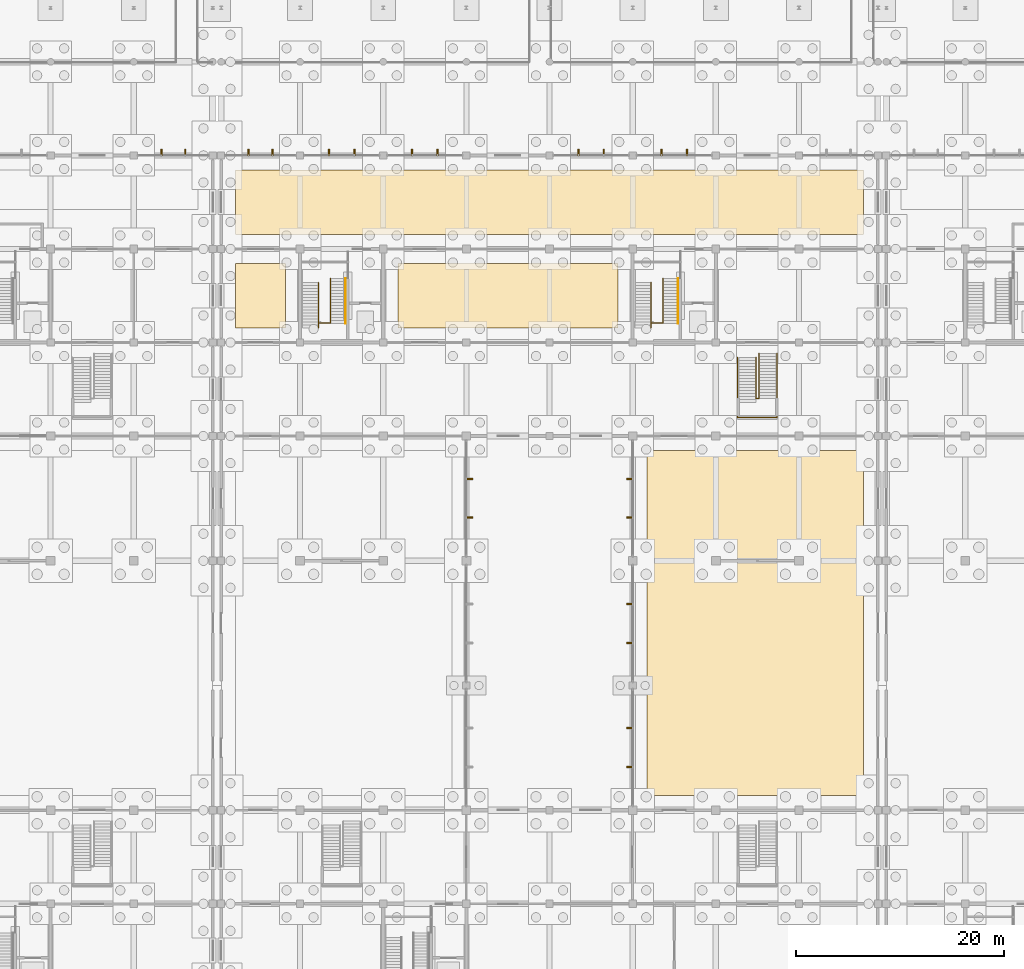
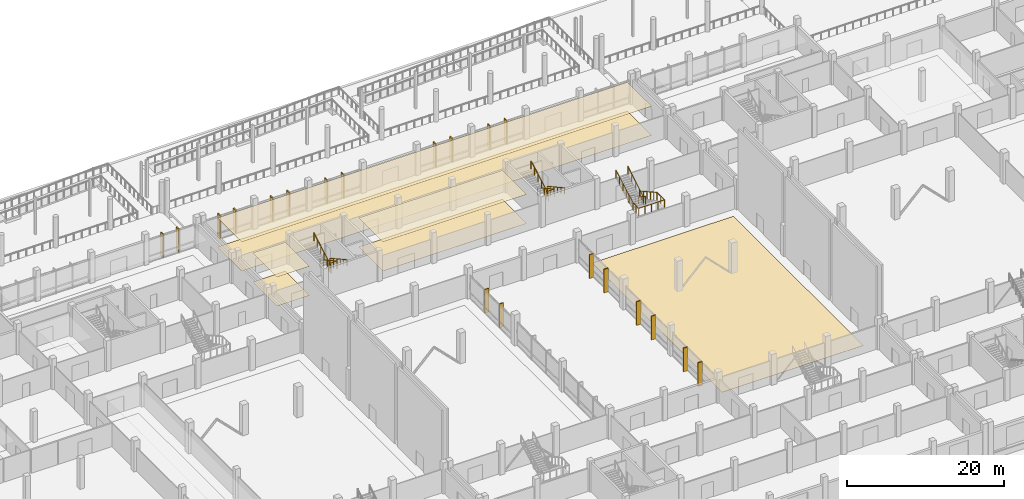
# One storey, part 66 of 72: 20 shading devices, 7 coverings, 6 railings.
"""IFC4 building model written with IfcOpenShell, lengths in metres."""

import ifcopenshell
import ifcopenshell.guid

model = None  # the IFC model being written
_history = None  # IfcOwnerHistory: only IFC2X3 demands one
_inside = {}  # id of a spatial element -> (the spatial element, [elements in it])
_under = {}  # id of a project, library or spatial element -> (it, [spatial elements below it])
_declared = {}  # id of a project -> (the project, [libraries it declares])
_typed = {}  # id of a type object -> (the type object, [elements of that type])
_made_of = {}  # id of a material, layer set ... -> (it, [elements and type objects made of it])


def new_model(schema):
    """Start an empty IFC model of exactly this schema.

    Asked for "IFC4X3", IfcOpenShell would pick the latest addendum, in which some entities
    have other attributes; the version numbers below select the first issue.
    IFC2X3 requires an IfcOwnerHistory on every rooted entity: one is made here for all.
    """
    global model, _history
    if schema == "IFC4X3":
        model = ifcopenshell.file(schema_version=(4, 3, 0, 0))
    else:
        model = ifcopenshell.file(schema=schema)
    _inside.clear()
    _under.clear()
    _declared.clear()
    _typed.clear()
    _made_of.clear()
    _history = None
    if model.schema == "IFC2X3":
        org = make("IfcOrganization", Name="unknown")
        user = make(
            "IfcPersonAndOrganization",
            ThePerson=make("IfcPerson", FamilyName="unknown"),
            TheOrganization=org,
        )
        app = make(
            "IfcApplication",
            ApplicationDeveloper=org,
            Version="unknown",
            ApplicationFullName="unknown",
            ApplicationIdentifier="unknown",
        )
        _history = make(
            "IfcOwnerHistory",
            OwningUser=user,
            OwningApplication=app,
            ChangeAction="ADDED",
            CreationDate=0,
        )
    return model


def make(cls, **values):
    """One entity of the class cls with the attributes given. An attribute that is None is left unset."""
    return model.create_entity(
        cls, **{name: value for name, value in values.items() if value is not None}
    )


def rooted(cls, **values):
    """An entity with a GlobalId (a new one), such as an element, a storey or a relation."""
    return make(cls, GlobalId=ifcopenshell.guid.new(), OwnerHistory=_history, **values)


def si_unit(unit_type, name, prefix=None):
    """IfcSIUnit, for example si_unit("LENGTHUNIT", "METRE", prefix="MILLI")."""
    return make("IfcSIUnit", UnitType=unit_type, Prefix=prefix, Name=name)


def assignment(units):
    """IfcUnitAssignment: the units of a project."""
    return None if units is None else make("IfcUnitAssignment", Units=units)


def point(xyz):
    """IfcCartesianPoint."""
    return None if xyz is None else make("IfcCartesianPoint", Coordinates=xyz)


def direction(xyz):
    """IfcDirection."""
    return None if xyz is None else make("IfcDirection", DirectionRatios=xyz)


def frame(location, z_axis=None, x_axis=None):
    """IfcAxis2Placement3D, a coordinate frame: its origin and axes. An axis left out is left unset."""
    return make(
        "IfcAxis2Placement3D",
        Location=point(location),
        Axis=direction(z_axis),
        RefDirection=direction(x_axis),
    )


def frame_2d(location, x_axis=None):
    """IfcAxis2Placement2D, a coordinate frame in the plane: its origin and x axis."""
    return make(
        "IfcAxis2Placement2D", Location=point(location), RefDirection=direction(x_axis)
    )


def origin():
    """The frame at (0, 0, 0) with its axes left unset."""
    return frame((0.0, 0.0, 0.0))


def origin_2d():
    """The frame at (0, 0) in the plane with its x axis left unset."""
    return frame_2d((0.0, 0.0))


def place(relative_to, where):
    """IfcLocalPlacement: puts the frame where relative to a parent placement (None: the world)."""
    return make(
        "IfcLocalPlacement", PlacementRelTo=relative_to, RelativePlacement=where
    )


def context(
    kind, dimensions, precision=None, world=None, true_north=None, identifier=None
):
    """IfcGeometricRepresentationContext, for example the 3D "Model" context."""
    return make(
        "IfcGeometricRepresentationContext",
        ContextIdentifier=identifier,
        ContextType=kind,
        CoordinateSpaceDimension=dimensions,
        Precision=precision,
        WorldCoordinateSystem=world,
        TrueNorth=true_north,
    )


def subcontext(parent, identifier, kind, view, scale=None):
    """IfcGeometricRepresentationSubContext, for example "Body" below "Model"."""
    return make(
        "IfcGeometricRepresentationSubContext",
        ContextIdentifier=identifier,
        ContextType=kind,
        ParentContext=parent,
        TargetScale=scale,
        TargetView=view,
    )


def project(units=None, contexts=None):
    """IfcProject with its units and contexts."""
    return rooted(
        "IfcProject",
        Name="project",
        RepresentationContexts=contexts,
        UnitsInContext=assignment(units),
    )


def spatial(cls, under=None, at=None, **own):
    """A site, building, storey or space (cls), placed at a placement, below another one or the project."""
    s = rooted(cls, ObjectPlacement=at, **own)
    if under is not None:
        _under.setdefault(under.id(), (under, []))[1].append(s)
    return s


def polyline(points):
    """IfcPolyline through the points."""
    return make("IfcPolyline", Points=[point(p) for p in points])


def profile(cls, at=None, kind="AREA", **sizes):
    """A parametric profile (cls). Its sizes go by their IFC names, for example OverallWidth=200.0."""
    return make(cls, ProfileType=kind, Position=at, **sizes)


def rectangle(**sizes):
    """IfcRectangleProfileDef."""
    return profile("IfcRectangleProfileDef", **sizes)


def circle(**sizes):
    """IfcCircleProfileDef."""
    return profile("IfcCircleProfileDef", **sizes)


def outline(outer, holes=None, kind="AREA"):
    """IfcArbitraryClosedProfileDef: a profile drawn as a closed curve; with holes, ...WithVoids."""
    if holes is None:
        return make("IfcArbitraryClosedProfileDef", ProfileType=kind, OuterCurve=outer)
    return make(
        "IfcArbitraryProfileDefWithVoids",
        ProfileType=kind,
        OuterCurve=outer,
        InnerCurves=holes,
    )


def extrude(swept, where, along, depth):
    """IfcExtrudedAreaSolid: the profile swept, set in the frame where, extruded along a direction by depth."""
    return make(
        "IfcExtrudedAreaSolid",
        SweptArea=swept,
        Position=where,
        ExtrudedDirection=direction(along),
        Depth=depth,
    )


def shape(context_of_items, identifier, shape_type, items):
    """IfcShapeRepresentation: the items that make up one representation, for example the "Body"."""
    return make(
        "IfcShapeRepresentation",
        ContextOfItems=context_of_items,
        RepresentationIdentifier=identifier,
        RepresentationType=shape_type,
        Items=items,
    )


def material(Name=None, Category=None):
    """IfcMaterial."""
    return make("IfcMaterial", Name=Name, Category=Category)


def layer(
    of_material, thickness, ventilated=None, Name=None, Category=None, Priority=None
):
    """IfcMaterialLayer: one layer of a wall or slab, of a material (None: an air gap)."""
    return make(
        "IfcMaterialLayer",
        Material=of_material,
        LayerThickness=thickness,
        IsVentilated=ventilated,
        Name=Name,
        Category=Category,
        Priority=Priority,
    )


def layer_set(layers, Name=None):
    """IfcMaterialLayerSet."""
    return make("IfcMaterialLayerSet", MaterialLayers=layers, LayerSetName=Name)


def made_of(thing, what):
    """Note that an element or type object is made of a material, layer set ...; save() writes the relation."""
    if what is not None:
        _made_of.setdefault(what.id(), (what, []))[1].append(thing)
    return thing


def type_object(cls, material=None, **own):
    """A type object (cls), such as IfcWallType, which elements share."""
    return made_of(rooted(cls, **own), material)


def element(
    cls,
    number,
    at=None,
    inside=None,
    cuts=None,
    type_object=None,
    material=None,
    context=None,
    identifier="Body",
    shape_type=None,
    held_by="IfcProductDefinitionShape",
    body=None,
    shapes=None,
    **own,
):
    """One element of the class cls, such as IfcWall. Its Tag is "e" and its number.

    at: its placement. inside: the storey or other place that contains it. cuts: it is an
    opening in that element (IfcRelVoidsElement). A single representation is given by context,
    identifier, shape_type and body (its items); several are given by shapes. held_by: the class
    of the entity that holds the representations. save() writes the other relations.
    """
    e = rooted(cls, Tag="e%d" % number, ObjectPlacement=at, **own)
    if body is not None:
        shapes = [shape(context, identifier, shape_type, body)]
    if shapes is not None:
        e.Representation = make(held_by, Representations=shapes)
    if inside is not None:
        _inside.setdefault(inside.id(), (inside, []))[1].append(e)
    if cuts is not None:
        rooted(
            "IfcRelVoidsElement", RelatingBuildingElement=cuts, RelatedOpeningElement=e
        )
    if type_object is not None:
        _typed.setdefault(type_object.id(), (type_object, []))[1].append(e)
    return made_of(e, material)


def aggregate(whole, parts):
    """IfcRelAggregates: a whole, such as a stair, and the parts it consists of."""
    return rooted("IfcRelAggregates", RelatingObject=whole, RelatedObjects=parts)


def save(model, path):
    """Write the relations noted so far, then the file.

    IfcRelAggregates (storeys below a building ...), IfcRelContainedInSpatialStructure (elements
    in a storey), IfcRelDefinesByType, IfcRelAssociatesMaterial and IfcRelDeclares: one each for
    every whole, place, type object, material and project.
    """
    for whole, parts in _under.values():
        aggregate(whole, parts)
    for where, things in _inside.values():
        rooted(
            "IfcRelContainedInSpatialStructure",
            RelatedElements=things,
            RelatingStructure=where,
        )
    for kind, things in _typed.values():
        rooted("IfcRelDefinesByType", RelatedObjects=things, RelatingType=kind)
    for what, things in _made_of.values():
        rooted("IfcRelAssociatesMaterial", RelatedObjects=things, RelatingMaterial=what)
    for by, libraries in _declared.values():
        rooted("IfcRelDeclares", RelatingContext=by, RelatedDefinitions=libraries)
    model.write(path)


model = new_model("IFC4")

# Units and contexts
model_context = context("Model", 3, precision=1e-05, world=origin(), true_north=direction((0.0, 1.0)))
body_context = subcontext(model_context, "Body", "Model", "MODEL_VIEW")
ifc_project = project(units=[si_unit("LENGTHUNIT", "METRE"), si_unit("AREAUNIT", "SQUARE_METRE"), si_unit("VOLUMEUNIT", "CUBIC_METRE"), si_unit("PLANEANGLEUNIT", "RADIAN"), si_unit("MASSUNIT", "GRAM", prefix="KILO"), si_unit("THERMODYNAMICTEMPERATUREUNIT", "KELVIN"), si_unit("POWERUNIT", "WATT")], contexts=[model_context])

# Site, building, storey
site_placement = place(None, origin())
site = spatial("IfcSite", under=ifc_project, at=site_placement, CompositionType="ELEMENT")
building_placement = place(site_placement, origin())
building = spatial("IfcBuilding", under=site, at=building_placement, Name="Kronsvod Quay Wholesale Market", CompositionType="ELEMENT")
storey_placement = place(building_placement, origin())
storey = spatial("IfcBuildingStorey", under=building, at=storey_placement, Name="L00", CompositionType="ELEMENT", Elevation=0.0)

# Coverings
ifc_material_1 = material(Name="Moisture-resistant gypsum board ceiling")
ifc_layer_1 = layer(ifc_material_1, 0.02490234375)
ifc_layer_set_1 = layer_set([ifc_layer_1], Name="Moisture-resistant gypsum board ceiling")
covering_type_1 = type_object("IfcCoveringType", Name="Cov_Ceil03", PredefinedType="CEILING", material=ifc_layer_set_1)
covering_1_placement = place(storey_placement, frame((0.0, 0.0, 4.52490234375)))
element("IfcCovering", 1, at=covering_1_placement, inside=storey, type_object=covering_type_1, Name="CLG-SP-L00-V5-07", PredefinedType="CEILING", context=body_context, shape_type="SweptSolid", body=[
    extrude(outline(polyline([(65.800048828125, 100.39990234375), (70.60009765625, 100.39990234375), (70.60009765625, 106.60009765625), (65.800048828125, 106.60009765625), (65.800048828125, 100.39990234375)])), origin(), (0.0, 0.0, 1.0), 0.025146484375),
])
covering_2_placement = place(storey_placement, frame((0.0, 0.0, 4.52490234375)))
element("IfcCovering", 2, at=covering_2_placement, inside=storey, type_object=covering_type_1, Name="CLG-SP-L00-V5-08", PredefinedType="CEILING", context=body_context, shape_type="SweptSolid", body=[
    extrude(outline(polyline([(81.39990234375, 100.39990234375), (102.60009765625, 100.39990234375), (102.60009765625, 106.60009765625), (81.39990234375, 106.60009765625), (81.39990234375, 100.39990234375)])), origin(), (0.0, 0.0, 1.0), 0.025146484375),
])
covering_3_placement = place(storey_placement, frame((0.0, 0.0, 4.52490234375)))
element("IfcCovering", 3, at=covering_3_placement, inside=storey, type_object=covering_type_1, Name="CLG-SP-L00-V5-13", PredefinedType="CEILING", context=body_context, shape_type="SweptSolid", body=[
    extrude(outline(polyline([(65.800048828125, 109.39990234375), (126.199951171875, 109.39990234375), (126.199951171875, 115.60009765625), (65.800048828125, 115.60009765625), (65.800048828125, 109.39990234375)])), origin(), (0.0, 0.0, 1.0), 0.025146484375),
])
ifc_material_2 = material(Name="Heavy-duty polyurethane resin market screed")
ifc_layer_2 = layer(ifc_material_2, 0.02001953125)
ifc_layer_set_2 = layer_set([ifc_layer_2], Name="Heavy-duty polyurethane resin market screed")
covering_type_2 = type_object("IfcCoveringType", Name="Cov_Floor01", PredefinedType="FLOORING", material=ifc_layer_set_2)
covering_4_placement = place(storey_placement, origin())
element("IfcCovering", 4, at=covering_4_placement, inside=storey, type_object=covering_type_2, Name="FLR-SP-L00-V5-07", PredefinedType="FLOORING", context=body_context, shape_type="SweptSolid", body=[
    extrude(outline(polyline([(65.800048828125, 100.39990234375), (70.60009765625, 100.39990234375), (70.60009765625, 106.60009765625), (65.800048828125, 106.60009765625), (65.800048828125, 100.39990234375)])), origin(), (0.0, 0.0, 1.0), 0.02001953125),
])
covering_5_placement = place(storey_placement, origin())
element("IfcCovering", 5, at=covering_5_placement, inside=storey, type_object=covering_type_2, Name="FLR-SP-L00-V5-08", PredefinedType="FLOORING", context=body_context, shape_type="SweptSolid", body=[
    extrude(outline(polyline([(81.39990234375, 100.39990234375), (102.60009765625, 100.39990234375), (102.60009765625, 106.60009765625), (81.39990234375, 106.60009765625), (81.39990234375, 100.39990234375)])), origin(), (0.0, 0.0, 1.0), 0.02001953125),
])
ifc_material_3 = material(Name="Non-slip vitrified seafood hall tile")
ifc_layer_3 = layer(ifc_material_3, 0.02490234375)
ifc_layer_set_3 = layer_set([ifc_layer_3], Name="Non-slip vitrified seafood hall tile")
covering_type_3 = type_object("IfcCoveringType", Name="Cov_Floor02", PredefinedType="FLOORING", material=ifc_layer_set_3)
covering_6_placement = place(storey_placement, origin())
element("IfcCovering", 6, at=covering_6_placement, inside=storey, type_object=covering_type_3, Name="FLR-SP-L00-V2-03", PredefinedType="FLOORING", context=body_context, shape_type="SweptSolid", body=[
    extrude(outline(polyline([(105.39990234375, 55.39990234375), (126.199951171875, 55.39990234375), (126.199951171875, 88.60009765625), (105.39990234375, 88.60009765625), (105.39990234375, 55.39990234375)])), origin(), (0.0, 0.0, 1.0), 0.02490234375),
])
ifc_material_4 = material(Name="Polished terrazzo concourse flooring")
ifc_layer_4 = layer(ifc_material_4, 0.01806640625)
ifc_layer_set_4 = layer_set([ifc_layer_4], Name="Polished terrazzo concourse flooring")
covering_type_4 = type_object("IfcCoveringType", Name="Cov_Floor03", PredefinedType="FLOORING", material=ifc_layer_set_4)
covering_7_placement = place(storey_placement, origin())
element("IfcCovering", 7, at=covering_7_placement, inside=storey, type_object=covering_type_4, Name="FLR-SP-L00-V5-13", PredefinedType="FLOORING", context=body_context, shape_type="SweptSolid", body=[
    extrude(outline(polyline([(65.800048828125, 109.39990234375), (126.199951171875, 109.39990234375), (126.199951171875, 115.60009765625), (65.800048828125, 115.60009765625), (65.800048828125, 109.39990234375)])), origin(), (0.0, 0.0, 1.0), 0.01806640625),
])

# Railings
ifc_material_5 = material(Name="Stainless steel", Category="steel")
railing_type_1 = type_object("IfcRailingType", Name="Railing_Guard1200", PredefinedType="GUARDRAIL", material=ifc_material_5)
railing_1_placement = place(storey_placement, frame((74.909912109375, 105.179931640625, 0.0)))
element("IfcRailing", 8, at=railing_1_placement, inside=storey, type_object=railing_type_1, Name="ST08-L00-SLOT-GRD", PredefinedType="GUARDRAIL", context=body_context, shape_type="SweptSolid", body=[
    extrude(circle(Radius=0.02392578125, at=origin_2d()), frame((0.0, 0.0, 1.17578125), z_axis=(0.0, -0.873208496407, 0.487346818809), x_axis=(1.0, 0.0, 0.0)), (0.0, 0.0, 1.0), 4.92431640625),
    extrude(circle(Radius=0.02392578125, at=origin_2d()), frame((0.0, -4.300048828125, 3.57568359375), z_axis=(-1.0, 0.0, 0.0), x_axis=(0.0, -1.0, 0.0)), (0.0, 0.0, 1.0), 1.159912109375),
    extrude(circle(Radius=0.02392578125, at=origin_2d()), frame((-1.159912109375, -4.300048828125, 3.57568359375), z_axis=(0.0, -1.0, 0.0), x_axis=(1.0, 0.0, 0.0)), (0.0, 0.0, 1.0), 0.469970703125),
    extrude(circle(Radius=0.02392578125, at=origin_2d()), frame((-1.159912109375, -4.77001953125, 3.57568359375), z_axis=(0.0, 0.875569800069, 0.483091632309), x_axis=(-1.0, 0.0, 0.0)), (0.0, 0.0, 1.0), 4.96826171875),
    extrude(circle(Radius=0.02099609375, at=origin_2d()), origin(), (0.0, 0.0, 1.0), 1.15185546875),
    extrude(circle(Radius=0.02099609375, at=origin_2d()), frame((0.0, -0.860107421875, 0.47998046875)), (0.0, 0.0, 1.0), 1.15185546875),
    extrude(circle(Radius=0.02099609375, at=origin_2d()), frame((0.0, -1.719970703125, 0.9599609375)), (0.0, 0.0, 1.0), 1.15185546875),
    extrude(circle(Radius=0.02099609375, at=origin_2d()), frame((0.0, -2.580078125, 1.43994140625)), (0.0, 0.0, 1.0), 1.15185546875),
    extrude(circle(Radius=0.02099609375, at=origin_2d()), frame((0.0, -3.43994140625, 1.919921875)), (0.0, 0.0, 1.0), 1.15185546875),
    extrude(circle(Radius=0.02099609375, at=origin_2d()), frame((0.0, -4.300048828125, 2.39990234375)), (0.0, 0.0, 1.0), 1.15185546875),
    extrude(circle(Radius=0.02099609375, at=origin_2d()), frame((-1.159912109375, -4.300048828125, 2.39990234375)), (0.0, 0.0, 1.0), 1.15185546875),
    extrude(circle(Radius=0.02099609375, at=origin_2d()), frame((-1.159912109375, -4.77001953125, 2.39990234375)), (0.0, 0.0, 1.0), 1.15185546875),
    extrude(circle(Radius=0.02099609375, at=origin_2d()), frame((-1.159912109375, -3.89990234375, 2.8798828125)), (0.0, 0.0, 1.0), 1.15185546875),
    extrude(circle(Radius=0.02099609375, at=origin_2d()), frame((-1.159912109375, -3.030029296875, 3.35986328125)), (0.0, 0.0, 1.0), 1.15185546875),
    extrude(circle(Radius=0.02099609375, at=origin_2d()), frame((-1.159912109375, -2.159912109375, 3.840087890625)), (0.0, 0.0, 1.0), 1.15185546875),
    extrude(circle(Radius=0.02099609375, at=origin_2d()), frame((-1.159912109375, -1.2900390625, 4.320068359375)), (0.0, 0.0, 1.0), 1.15185546875),
    extrude(circle(Radius=0.02099609375, at=origin_2d()), frame((-1.159912109375, -0.419921875, 4.800048828125)), (0.0, 0.0, 1.0), 1.15185546875),
])
railing_2_placement = place(storey_placement, frame((106.909912109375, 105.179931640625, 0.0)))
element("IfcRailing", 9, at=railing_2_placement, inside=storey, type_object=railing_type_1, Name="ST09-L00-SLOT-GRD", PredefinedType="GUARDRAIL", context=body_context, shape_type="SweptSolid", body=[
    extrude(circle(Radius=0.02392578125, at=origin_2d()), frame((0.0, 0.0, 1.17578125), z_axis=(0.0, -0.873208496407, 0.487346818809), x_axis=(1.0, 0.0, 0.0)), (0.0, 0.0, 1.0), 4.92431640625),
    extrude(circle(Radius=0.02392578125, at=origin_2d()), frame((0.0, -4.300048828125, 3.57568359375), z_axis=(-1.0, 0.0, 0.0), x_axis=(0.0, -1.0, 0.0)), (0.0, 0.0, 1.0), 1.159912109375),
    extrude(circle(Radius=0.02392578125, at=origin_2d()), frame((-1.159912109375, -4.300048828125, 3.57568359375), z_axis=(0.0, -1.0, 0.0), x_axis=(1.0, 0.0, 0.0)), (0.0, 0.0, 1.0), 0.469970703125),
    extrude(circle(Radius=0.02392578125, at=origin_2d()), frame((-1.159912109375, -4.77001953125, 3.57568359375), z_axis=(0.0, 0.875569800069, 0.483091632309), x_axis=(-1.0, 0.0, 0.0)), (0.0, 0.0, 1.0), 4.96826171875),
    extrude(circle(Radius=0.02099609375, at=origin_2d()), origin(), (0.0, 0.0, 1.0), 1.15185546875),
    extrude(circle(Radius=0.02099609375, at=origin_2d()), frame((0.0, -0.860107421875, 0.47998046875)), (0.0, 0.0, 1.0), 1.15185546875),
    extrude(circle(Radius=0.02099609375, at=origin_2d()), frame((0.0, -1.719970703125, 0.9599609375)), (0.0, 0.0, 1.0), 1.15185546875),
    extrude(circle(Radius=0.02099609375, at=origin_2d()), frame((0.0, -2.580078125, 1.43994140625)), (0.0, 0.0, 1.0), 1.15185546875),
    extrude(circle(Radius=0.02099609375, at=origin_2d()), frame((0.0, -3.43994140625, 1.919921875)), (0.0, 0.0, 1.0), 1.15185546875),
    extrude(circle(Radius=0.02099609375, at=origin_2d()), frame((0.0, -4.300048828125, 2.39990234375)), (0.0, 0.0, 1.0), 1.15185546875),
    extrude(circle(Radius=0.02099609375, at=origin_2d()), frame((-1.159912109375, -4.300048828125, 2.39990234375)), (0.0, 0.0, 1.0), 1.15185546875),
    extrude(circle(Radius=0.02099609375, at=origin_2d()), frame((-1.159912109375, -4.77001953125, 2.39990234375)), (0.0, 0.0, 1.0), 1.15185546875),
    extrude(circle(Radius=0.02099609375, at=origin_2d()), frame((-1.159912109375, -3.89990234375, 2.8798828125)), (0.0, 0.0, 1.0), 1.15185546875),
    extrude(circle(Radius=0.02099609375, at=origin_2d()), frame((-1.159912109375, -3.030029296875, 3.35986328125)), (0.0, 0.0, 1.0), 1.15185546875),
    extrude(circle(Radius=0.02099609375, at=origin_2d()), frame((-1.159912109375, -2.159912109375, 3.840087890625)), (0.0, 0.0, 1.0), 1.15185546875),
    extrude(circle(Radius=0.02099609375, at=origin_2d()), frame((-1.159912109375, -1.2900390625, 4.320068359375)), (0.0, 0.0, 1.0), 1.15185546875),
    extrude(circle(Radius=0.02099609375, at=origin_2d()), frame((-1.159912109375, -0.419921875, 4.800048828125)), (0.0, 0.0, 1.0), 1.15185546875),
])
railing_3_placement = place(storey_placement, frame((116.14990234375, 97.949951171875, 0.0)))
element("IfcRailing", 10, at=railing_3_placement, inside=storey, type_object=railing_type_1, Name="ST-CON-E-SLOT-GRD", PredefinedType="GUARDRAIL", context=body_context, shape_type="SweptSolid", body=[
    extrude(circle(Radius=0.02392578125, at=origin_2d()), frame((0.0, 0.0, 1.17578125), z_axis=(0.0, -0.875579117544, 0.483074744652), x_axis=(1.0, 0.0, 0.0)), (0.0, 0.0, 1.0), 4.968017578125),
    extrude(circle(Radius=0.02392578125, at=origin_2d()), frame((0.0, -4.349853515625, 3.57568359375), z_axis=(-1.0, 0.0, 0.0), x_axis=(0.0, -1.0, 0.0)), (0.0, 0.0, 1.0), 0.2998046875),
    extrude(circle(Radius=0.02392578125, at=origin_2d()), frame((-0.2998046875, -4.349853515625, 3.57568359375), z_axis=(0.0, 0.855181543025, 0.518328591213), x_axis=(-1.0, 0.0, 0.0)), (0.0, 0.0, 1.0), 4.630615234375),
    extrude(circle(Radius=0.02099609375, at=origin_2d()), origin(), (0.0, 0.0, 1.0), 1.15185546875),
    extrude(circle(Radius=0.02099609375, at=origin_2d()), frame((0.0, -0.869873046875, 0.47998046875)), (0.0, 0.0, 1.0), 1.15185546875),
    extrude(circle(Radius=0.02099609375, at=origin_2d()), frame((0.0, -1.739990234375, 0.9599609375)), (0.0, 0.0, 1.0), 1.15185546875),
    extrude(circle(Radius=0.02099609375, at=origin_2d()), frame((0.0, -2.60986328125, 1.43994140625)), (0.0, 0.0, 1.0), 1.15185546875),
    extrude(circle(Radius=0.02099609375, at=origin_2d()), frame((0.0, -3.47998046875, 1.919921875)), (0.0, 0.0, 1.0), 1.15185546875),
    extrude(circle(Radius=0.02099609375, at=origin_2d()), frame((0.0, -4.349853515625, 2.39990234375)), (0.0, 0.0, 1.0), 1.15185546875),
    extrude(circle(Radius=0.02099609375, at=origin_2d()), frame((-0.2998046875, -4.349853515625, 2.39990234375)), (0.0, 0.0, 1.0), 1.15185546875),
    extrude(circle(Radius=0.02099609375, at=origin_2d()), frame((-0.2998046875, -3.35986328125, 3.0)), (0.0, 0.0, 1.0), 1.15185546875),
    extrude(circle(Radius=0.02099609375, at=origin_2d()), frame((-0.2998046875, -2.369873046875, 3.60009765625)), (0.0, 0.0, 1.0), 1.15185546875),
    extrude(circle(Radius=0.02099609375, at=origin_2d()), frame((-0.2998046875, -1.3798828125, 4.199951171875)), (0.0, 0.0, 1.0), 1.15185546875),
    extrude(circle(Radius=0.02099609375, at=origin_2d()), frame((-0.2998046875, -0.389892578125, 4.800048828125)), (0.0, 0.0, 1.0), 1.15185546875),
])
railing_4_placement = place(storey_placement, frame((117.89990234375, 97.949951171875, 0.0)))
element("IfcRailing", 11, at=railing_4_placement, inside=storey, type_object=railing_type_1, Name="ST-CON-E-OUT-GRD", PredefinedType="GUARDRAIL", context=body_context, shape_type="SweptSolid", body=[
    extrude(circle(Radius=0.02392578125, at=origin_2d()), frame((0.0, 0.0, 1.17578125), z_axis=(0.0, -0.872724433274, 0.488213133342), x_axis=(1.0, 0.0, 0.0)), (0.0, 0.0, 1.0), 4.915771484375),
    extrude(circle(Radius=0.02392578125, at=origin_2d()), frame((0.0, -4.2900390625, 3.57568359375), z_axis=(0.0, -1.0, 0.0), x_axis=(1.0, 0.0, 0.0)), (0.0, 0.0, 1.0), 1.8798828125),
    extrude(circle(Radius=0.02392578125, at=origin_2d()), frame((0.0, -6.169921875, 3.57568359375), z_axis=(-1.0, 0.0, 0.0), x_axis=(0.0, -1.0, 0.0)), (0.0, 0.0, 1.0), 3.7998046875),
    extrude(circle(Radius=0.02392578125, at=origin_2d()), frame((-3.7998046875, -6.169921875, 3.57568359375), z_axis=(0.0, 1.0, 0.0), x_axis=(-1.0, 0.0, 0.0)), (0.0, 0.0, 1.0), 1.429931640625),
    extrude(circle(Radius=0.02392578125, at=origin_2d()), frame((-3.7998046875, -4.739990234375, 3.57568359375), z_axis=(0.0, 0.875569800069, 0.483091632309), x_axis=(-1.0, 0.0, 0.0)), (0.0, 0.0, 1.0), 4.96826171875),
    extrude(circle(Radius=0.02099609375, at=origin_2d()), origin(), (0.0, 0.0, 1.0), 1.15185546875),
    extrude(circle(Radius=0.02099609375, at=origin_2d()), frame((0.0, -0.85791015625, 0.47998046875)), (0.0, 0.0, 1.0), 1.15185546875),
    extrude(circle(Radius=0.02099609375, at=origin_2d()), frame((0.0, -1.716064453125, 0.9599609375)), (0.0, 0.0, 1.0), 1.15185546875),
    extrude(circle(Radius=0.02099609375, at=origin_2d()), frame((0.0, -2.573974609375, 1.43994140625)), (0.0, 0.0, 1.0), 1.15185546875),
    extrude(circle(Radius=0.02099609375, at=origin_2d()), frame((0.0, -3.43212890625, 1.919921875)), (0.0, 0.0, 1.0), 1.15185546875),
    extrude(circle(Radius=0.02099609375, at=origin_2d()), frame((0.0, -4.2900390625, 2.39990234375)), (0.0, 0.0, 1.0), 1.15185546875),
    extrude(circle(Radius=0.02099609375, at=origin_2d()), frame((0.0, -5.22998046875, 2.39990234375)), (0.0, 0.0, 1.0), 1.15185546875),
    extrude(circle(Radius=0.02099609375, at=origin_2d()), frame((0.0, -6.169921875, 2.39990234375)), (0.0, 0.0, 1.0), 1.15185546875),
    extrude(circle(Radius=0.02099609375, at=origin_2d()), frame((-0.949951171875, -6.169921875, 2.39990234375)), (0.0, 0.0, 1.0), 1.15185546875),
    extrude(circle(Radius=0.02099609375, at=origin_2d()), frame((-1.89990234375, -6.169921875, 2.39990234375)), (0.0, 0.0, 1.0), 1.15185546875),
    extrude(circle(Radius=0.02099609375, at=origin_2d()), frame((-2.849853515625, -6.169921875, 2.39990234375)), (0.0, 0.0, 1.0), 1.15185546875),
    extrude(circle(Radius=0.02099609375, at=origin_2d()), frame((-3.7998046875, -6.169921875, 2.39990234375)), (0.0, 0.0, 1.0), 1.15185546875),
    extrude(circle(Radius=0.02099609375, at=origin_2d()), frame((-3.7998046875, -5.455078125, 2.39990234375)), (0.0, 0.0, 1.0), 1.15185546875),
    extrude(circle(Radius=0.02099609375, at=origin_2d()), frame((-3.7998046875, -4.739990234375, 2.39990234375)), (0.0, 0.0, 1.0), 1.15185546875),
    extrude(circle(Radius=0.02099609375, at=origin_2d()), frame((-3.7998046875, -3.869873046875, 2.8798828125)), (0.0, 0.0, 1.0), 1.15185546875),
    extrude(circle(Radius=0.02099609375, at=origin_2d()), frame((-3.7998046875, -3.0, 3.35986328125)), (0.0, 0.0, 1.0), 1.15185546875),
    extrude(circle(Radius=0.02099609375, at=origin_2d()), frame((-3.7998046875, -2.1298828125, 3.840087890625)), (0.0, 0.0, 1.0), 1.15185546875),
    extrude(circle(Radius=0.02099609375, at=origin_2d()), frame((-3.7998046875, -1.260009765625, 4.320068359375)), (0.0, 0.0, 1.0), 1.15185546875),
    extrude(circle(Radius=0.02099609375, at=origin_2d()), frame((-3.7998046875, -0.389892578125, 4.800048828125)), (0.0, 0.0, 1.0), 1.15185546875),
])
ifc_material_6 = material(Name="Stainless steel", Category="steel")
railing_type_2 = type_object("IfcRailingType", Name="Railing_Handrail900", PredefinedType="HANDRAIL", material=ifc_material_6)
for number, where, name in (
    (12, (76.3798828125, 105.179931640625, 0.0), "ST08-L00-HDR"),
    (13, (108.3798828125, 105.179931640625, 0.0), "ST09-L00-HDR"),
):
    element("IfcRailing", number, at=place(storey_placement, frame(where)), inside=storey, type_object=railing_type_2, Name=name, PredefinedType="HANDRAIL", context=body_context, shape_type="SweptSolid", body=[
        extrude(circle(Radius=0.02392578125, at=origin_2d()), frame((0.0, 0.0, 0.8759765625), z_axis=(0.0, -0.875579117544, 0.483074744652), x_axis=(1.0, 0.0, 0.0)), (0.0, 0.0, 1.0), 4.968017578125),
        extrude(circle(Radius=0.02099609375, at=origin_2d()), origin(), (0.0, 0.0, 1.0), 0.851806640625),
        extrude(circle(Radius=0.02099609375, at=origin_2d()), frame((0.0, -0.869873046875, 0.47998046875)), (0.0, 0.0, 1.0), 0.851806640625),
        extrude(circle(Radius=0.02099609375, at=origin_2d()), frame((0.0, -1.739990234375, 0.9599609375)), (0.0, 0.0, 1.0), 0.851806640625),
        extrude(circle(Radius=0.02099609375, at=origin_2d()), frame((0.0, -2.60986328125, 1.43994140625)), (0.0, 0.0, 1.0), 0.851806640625),
        extrude(circle(Radius=0.02099609375, at=origin_2d()), frame((0.0, -3.47998046875, 1.919921875)), (0.0, 0.0, 1.0), 0.851806640625),
        extrude(circle(Radius=0.02099609375, at=origin_2d()), frame((0.0, -4.349853515625, 2.39990234375)), (0.0, 0.0, 1.0), 0.851806640625),
    ])

# Shading devices
ifc_material_7 = material(Name="Anodised aluminium", Category="aluminium")
shading_device_type = type_object("IfcShadingDeviceType", Name="Shade_SolarFin", PredefinedType="AWNING", material=ifc_material_7)
for number, where, z_axis, x_axis, name in (
    (14, (58.648193359375, 117.280029296875, -0.02001953125), (0.0, 0.0, 1.0), (1.0, 0.0, 0.0), "SHDF-CWGX-L00-560-1170-586"),
    (15, (60.95166015625, 117.280029296875, -0.02001953125), (0.0, 0.0, 1.0), (1.0, 0.0, 0.0), "SHDF-CWGX-L00-560-1170-610"),
    (16, (67.04833984375, 117.280029296875, -0.02001953125), (0.0, 0.0, 1.0), (1.0, 0.0, 0.0), "SHDF-CWGX-L00-644-1170-670"),
    (17, (69.351806640625, 117.280029296875, -0.02001953125), (0.0, 0.0, 1.0), (1.0, 0.0, 0.0), "SHDF-CWGX-L00-644-1170-694"),
    (18, (74.78173828125, 117.280029296875, -0.02001953125), (0.0, 0.0, 1.0), (1.0, 0.0, 0.0), "SHDF-CWGX-L00-720-1170-748"),
    (19, (77.21826171875, 117.280029296875, -0.02001953125), (0.0, 0.0, 1.0), (1.0, 0.0, 0.0), "SHDF-CWGX-L00-720-1170-772"),
    (20, (82.78173828125, 117.280029296875, -0.02001953125), (0.0, 0.0, 1.0), (1.0, 0.0, 0.0), "SHDF-CWGX-L00-800-1170-828"),
    (21, (85.21826171875, 117.280029296875, -0.02001953125), (0.0, 0.0, 1.0), (1.0, 0.0, 0.0), "SHDF-CWGX-L00-800-1170-852"),
    (22, (98.78173828125, 117.280029296875, -0.02001953125), (0.0, 0.0, 1.0), (1.0, 0.0, 0.0), "SHDF-CWGX-L00-960-1170-988"),
    (23, (101.21826171875, 117.280029296875, -0.02001953125), (0.0, 0.0, 1.0), (1.0, 0.0, 0.0), "SHDF-CWGX-L00-960-1170-1012"),
    (24, (106.78173828125, 117.280029296875, -0.02001953125), (0.0, 0.0, 1.0), (1.0, 0.0, 0.0), "SHDF-CWGX-L00-1040-1170-1068"),
    (25, (109.21826171875, 117.280029296875, -0.02001953125), (0.0, 0.0, 1.0), (1.0, 0.0, 0.0), "SHDF-CWGX-L00-1040-1170-1092"),
):
    element("IfcShadingDevice", number, at=place(storey_placement, frame(where, z_axis=z_axis, x_axis=x_axis)), inside=storey, type_object=shading_device_type, Name=name, PredefinedType="AWNING", context=body_context, shape_type="SweptSolid", body=[
        extrude(rectangle(XDim=0.139892578125, YDim=0.6201171875, at=origin_2d()), origin(), (0.0, 0.0, 1.0), 3.68994140625),
    ])
for number, where, z_axis, x_axis, name in (
    (26, (88.280029296875, 82.148193359375, -0.02001953125), (0.0, 0.0, 1.0), (1.0, 0.0, 0.0), "SHDF-CWGY-L00-880-780-821"),
    (27, (88.280029296875, 85.876708984375, -0.02001953125), (0.0, 0.0, 1.0), (1.0, 0.0, 0.0), "SHDF-CWGY-L00-880-780-859"),
    (28, (103.719970703125, 58.148193359375, -0.02001953125), (0.0, 0.0, 1.0), (1.0, 0.0, 0.0), "SHDF-CWGY-L00-1040-540-581"),
    (29, (103.719970703125, 61.901611328125, -0.02001953125), (0.0, 0.0, 1.0), (1.0, 0.0, 0.0), "SHDF-CWGY-L00-1040-540-619"),
    (30, (103.719970703125, 70.090087890625, -0.02001953125), (0.0, 0.0, 1.0), (1.0, 0.0, 0.0), "SHDF-CWGY-L00-1040-660-701"),
    (31, (103.719970703125, 73.8349609375, -0.02001953125), (0.0, 0.0, 1.0), (1.0, 0.0, 0.0), "SHDF-CWGY-L00-1040-660-738"),
    (32, (103.719970703125, 82.148193359375, -0.02001953125), (0.0, 0.0, 1.0), (1.0, 0.0, 0.0), "SHDF-CWGY-L00-1040-780-821"),
    (33, (103.719970703125, 85.876708984375, -0.02001953125), (0.0, 0.0, 1.0), (1.0, 0.0, 0.0), "SHDF-CWGY-L00-1040-780-859"),
):
    element("IfcShadingDevice", number, at=place(storey_placement, frame(where, z_axis=z_axis, x_axis=x_axis)), inside=storey, type_object=shading_device_type, Name=name, PredefinedType="AWNING", context=body_context, shape_type="SweptSolid", body=[
        extrude(rectangle(XDim=0.6201171875, YDim=0.139892578125, at=origin_2d()), origin(), (0.0, 0.0, 1.0), 3.68994140625),
    ])

save(model, "model.ifc")
